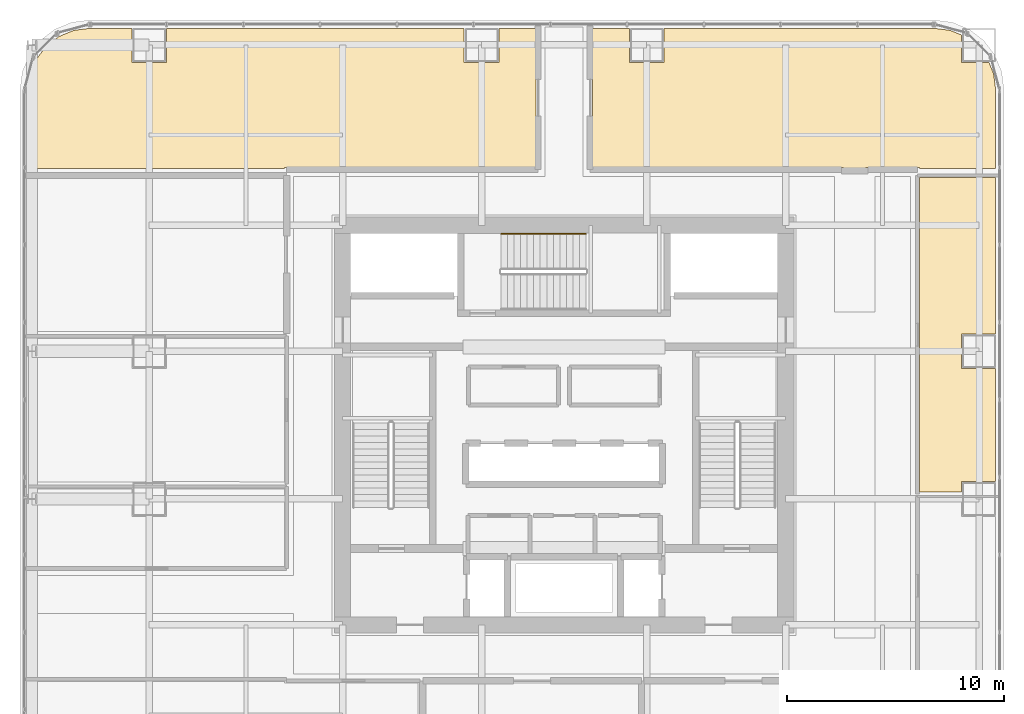
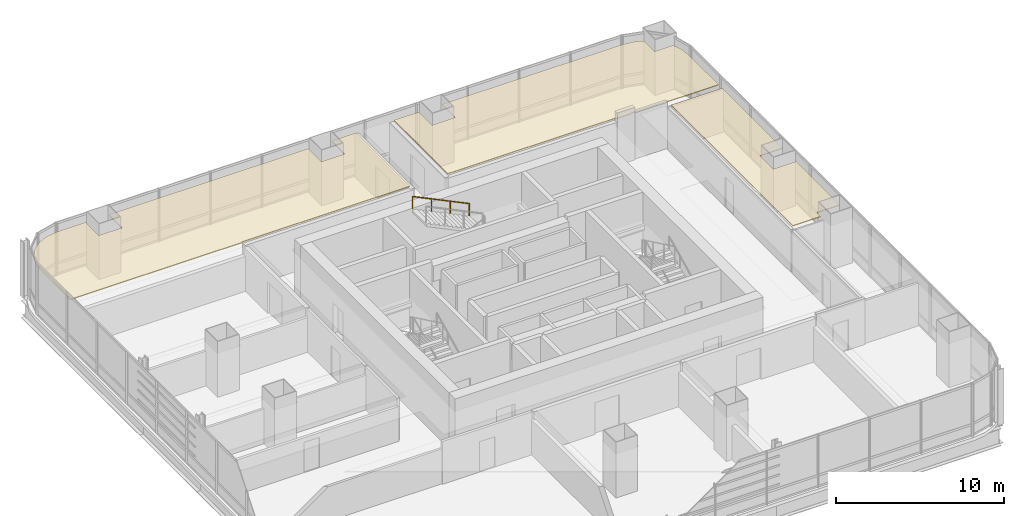
# One storey, part 36 of 36: 3 coverings, 1 railing.
"""IFC4 building model written with IfcOpenShell, lengths in metres."""

import ifcopenshell
import ifcopenshell.guid

model = None  # the IFC model being written
_history = None  # IfcOwnerHistory: only IFC2X3 demands one
_inside = {}  # id of a spatial element -> (the spatial element, [elements in it])
_under = {}  # id of a project, library or spatial element -> (it, [spatial elements below it])
_declared = {}  # id of a project -> (the project, [libraries it declares])
_typed = {}  # id of a type object -> (the type object, [elements of that type])
_made_of = {}  # id of a material, layer set ... -> (it, [elements and type objects made of it])


def new_model(schema):
    """Start an empty IFC model of exactly this schema.

    Asked for "IFC4X3", IfcOpenShell would pick the latest addendum, in which some entities
    have other attributes; the version numbers below select the first issue.
    IFC2X3 requires an IfcOwnerHistory on every rooted entity: one is made here for all.
    """
    global model, _history
    if schema == "IFC4X3":
        model = ifcopenshell.file(schema_version=(4, 3, 0, 0))
    else:
        model = ifcopenshell.file(schema=schema)
    _inside.clear()
    _under.clear()
    _declared.clear()
    _typed.clear()
    _made_of.clear()
    _history = None
    if model.schema == "IFC2X3":
        org = make("IfcOrganization", Name="unknown")
        user = make(
            "IfcPersonAndOrganization",
            ThePerson=make("IfcPerson", FamilyName="unknown"),
            TheOrganization=org,
        )
        app = make(
            "IfcApplication",
            ApplicationDeveloper=org,
            Version="unknown",
            ApplicationFullName="unknown",
            ApplicationIdentifier="unknown",
        )
        _history = make(
            "IfcOwnerHistory",
            OwningUser=user,
            OwningApplication=app,
            ChangeAction="ADDED",
            CreationDate=0,
        )
    return model


def make(cls, **values):
    """One entity of the class cls with the attributes given. An attribute that is None is left unset."""
    return model.create_entity(
        cls, **{name: value for name, value in values.items() if value is not None}
    )


def rooted(cls, **values):
    """An entity with a GlobalId (a new one), such as an element, a storey or a relation."""
    return make(cls, GlobalId=ifcopenshell.guid.new(), OwnerHistory=_history, **values)


def si_unit(unit_type, name, prefix=None):
    """IfcSIUnit, for example si_unit("LENGTHUNIT", "METRE", prefix="MILLI")."""
    return make("IfcSIUnit", UnitType=unit_type, Prefix=prefix, Name=name)


def assignment(units):
    """IfcUnitAssignment: the units of a project."""
    return None if units is None else make("IfcUnitAssignment", Units=units)


def point(xyz):
    """IfcCartesianPoint."""
    return None if xyz is None else make("IfcCartesianPoint", Coordinates=xyz)


def direction(xyz):
    """IfcDirection."""
    return None if xyz is None else make("IfcDirection", DirectionRatios=xyz)


def frame(location, z_axis=None, x_axis=None):
    """IfcAxis2Placement3D, a coordinate frame: its origin and axes. An axis left out is left unset."""
    return make(
        "IfcAxis2Placement3D",
        Location=point(location),
        Axis=direction(z_axis),
        RefDirection=direction(x_axis),
    )


def frame_2d(location, x_axis=None):
    """IfcAxis2Placement2D, a coordinate frame in the plane: its origin and x axis."""
    return make(
        "IfcAxis2Placement2D", Location=point(location), RefDirection=direction(x_axis)
    )


def origin():
    """The frame at (0, 0, 0) with its axes left unset."""
    return frame((0.0, 0.0, 0.0))


def origin_2d():
    """The frame at (0, 0) in the plane with its x axis left unset."""
    return frame_2d((0.0, 0.0))


def place(relative_to, where):
    """IfcLocalPlacement: puts the frame where relative to a parent placement (None: the world)."""
    return make(
        "IfcLocalPlacement", PlacementRelTo=relative_to, RelativePlacement=where
    )


def context(
    kind, dimensions, precision=None, world=None, true_north=None, identifier=None
):
    """IfcGeometricRepresentationContext, for example the 3D "Model" context."""
    return make(
        "IfcGeometricRepresentationContext",
        ContextIdentifier=identifier,
        ContextType=kind,
        CoordinateSpaceDimension=dimensions,
        Precision=precision,
        WorldCoordinateSystem=world,
        TrueNorth=true_north,
    )


def subcontext(parent, identifier, kind, view, scale=None):
    """IfcGeometricRepresentationSubContext, for example "Body" below "Model"."""
    return make(
        "IfcGeometricRepresentationSubContext",
        ContextIdentifier=identifier,
        ContextType=kind,
        ParentContext=parent,
        TargetScale=scale,
        TargetView=view,
    )


def project(units=None, contexts=None):
    """IfcProject with its units and contexts."""
    return rooted(
        "IfcProject",
        Name="project",
        RepresentationContexts=contexts,
        UnitsInContext=assignment(units),
    )


def spatial(cls, under=None, at=None, **own):
    """A site, building, storey or space (cls), placed at a placement, below another one or the project."""
    s = rooted(cls, ObjectPlacement=at, **own)
    if under is not None:
        _under.setdefault(under.id(), (under, []))[1].append(s)
    return s


def polyline(points):
    """IfcPolyline through the points."""
    return make("IfcPolyline", Points=[point(p) for p in points])


def profile(cls, at=None, kind="AREA", **sizes):
    """A parametric profile (cls). Its sizes go by their IFC names, for example OverallWidth=200.0."""
    return make(cls, ProfileType=kind, Position=at, **sizes)


def circle(**sizes):
    """IfcCircleProfileDef."""
    return profile("IfcCircleProfileDef", **sizes)


def outline(outer, holes=None, kind="AREA"):
    """IfcArbitraryClosedProfileDef: a profile drawn as a closed curve; with holes, ...WithVoids."""
    if holes is None:
        return make("IfcArbitraryClosedProfileDef", ProfileType=kind, OuterCurve=outer)
    return make(
        "IfcArbitraryProfileDefWithVoids",
        ProfileType=kind,
        OuterCurve=outer,
        InnerCurves=holes,
    )


def extrude(swept, where, along, depth):
    """IfcExtrudedAreaSolid: the profile swept, set in the frame where, extruded along a direction by depth."""
    return make(
        "IfcExtrudedAreaSolid",
        SweptArea=swept,
        Position=where,
        ExtrudedDirection=direction(along),
        Depth=depth,
    )


def shape(context_of_items, identifier, shape_type, items):
    """IfcShapeRepresentation: the items that make up one representation, for example the "Body"."""
    return make(
        "IfcShapeRepresentation",
        ContextOfItems=context_of_items,
        RepresentationIdentifier=identifier,
        RepresentationType=shape_type,
        Items=items,
    )


def material(Name=None, Category=None):
    """IfcMaterial."""
    return make("IfcMaterial", Name=Name, Category=Category)


def layer(
    of_material, thickness, ventilated=None, Name=None, Category=None, Priority=None
):
    """IfcMaterialLayer: one layer of a wall or slab, of a material (None: an air gap)."""
    return make(
        "IfcMaterialLayer",
        Material=of_material,
        LayerThickness=thickness,
        IsVentilated=ventilated,
        Name=Name,
        Category=Category,
        Priority=Priority,
    )


def layer_set(layers, Name=None):
    """IfcMaterialLayerSet."""
    return make("IfcMaterialLayerSet", MaterialLayers=layers, LayerSetName=Name)


def made_of(thing, what):
    """Note that an element or type object is made of a material, layer set ...; save() writes the relation."""
    if what is not None:
        _made_of.setdefault(what.id(), (what, []))[1].append(thing)
    return thing


def type_object(cls, material=None, **own):
    """A type object (cls), such as IfcWallType, which elements share."""
    return made_of(rooted(cls, **own), material)


def element(
    cls,
    number,
    at=None,
    inside=None,
    cuts=None,
    type_object=None,
    material=None,
    context=None,
    identifier="Body",
    shape_type=None,
    held_by="IfcProductDefinitionShape",
    body=None,
    shapes=None,
    **own,
):
    """One element of the class cls, such as IfcWall. Its Tag is "e" and its number.

    at: its placement. inside: the storey or other place that contains it. cuts: it is an
    opening in that element (IfcRelVoidsElement). A single representation is given by context,
    identifier, shape_type and body (its items); several are given by shapes. held_by: the class
    of the entity that holds the representations. save() writes the other relations.
    """
    e = rooted(cls, Tag="e%d" % number, ObjectPlacement=at, **own)
    if body is not None:
        shapes = [shape(context, identifier, shape_type, body)]
    if shapes is not None:
        e.Representation = make(held_by, Representations=shapes)
    if inside is not None:
        _inside.setdefault(inside.id(), (inside, []))[1].append(e)
    if cuts is not None:
        rooted(
            "IfcRelVoidsElement", RelatingBuildingElement=cuts, RelatedOpeningElement=e
        )
    if type_object is not None:
        _typed.setdefault(type_object.id(), (type_object, []))[1].append(e)
    return made_of(e, material)


def aggregate(whole, parts):
    """IfcRelAggregates: a whole, such as a stair, and the parts it consists of."""
    return rooted("IfcRelAggregates", RelatingObject=whole, RelatedObjects=parts)


def save(model, path):
    """Write the relations noted so far, then the file.

    IfcRelAggregates (storeys below a building ...), IfcRelContainedInSpatialStructure (elements
    in a storey), IfcRelDefinesByType, IfcRelAssociatesMaterial and IfcRelDeclares: one each for
    every whole, place, type object, material and project.
    """
    for whole, parts in _under.values():
        aggregate(whole, parts)
    for where, things in _inside.values():
        rooted(
            "IfcRelContainedInSpatialStructure",
            RelatedElements=things,
            RelatingStructure=where,
        )
    for kind, things in _typed.values():
        rooted("IfcRelDefinesByType", RelatedObjects=things, RelatingType=kind)
    for what, things in _made_of.values():
        rooted("IfcRelAssociatesMaterial", RelatedObjects=things, RelatingMaterial=what)
    for by, libraries in _declared.values():
        rooted("IfcRelDeclares", RelatingContext=by, RelatedDefinitions=libraries)
    model.write(path)


model = new_model("IFC4")

# Units and contexts
model_context = context("Model", 3, precision=1e-05, world=origin(), true_north=direction((0.0, 1.0)))
body_context = subcontext(model_context, "Body", "Model", "MODEL_VIEW")
ifc_project = project(units=[si_unit("LENGTHUNIT", "METRE"), si_unit("AREAUNIT", "SQUARE_METRE"), si_unit("VOLUMEUNIT", "CUBIC_METRE"), si_unit("PLANEANGLEUNIT", "RADIAN"), si_unit("MASSUNIT", "GRAM", prefix="KILO")], contexts=[model_context])

# Site, building, storey
site_placement = place(None, origin())
site = spatial("IfcSite", under=ifc_project, at=site_placement, CompositionType="ELEMENT")
building_placement = place(site_placement, origin())
building = spatial("IfcBuilding", under=site, at=building_placement, Name="Punatoya Terracotta Tower", CompositionType="ELEMENT")
storey_placement = place(building_placement, frame((0.0, 0.0, 48.449951171875)))
storey = spatial("IfcBuildingStorey", under=building, at=storey_placement, Name="L10", CompositionType="ELEMENT", Elevation=48.449951171875)

# Coverings
ifc_material_1 = material(Name="Acoustic Mineral Fibre Ceiling")
ifc_layer = layer(ifc_material_1, 0.06005859375)
ifc_layer_set = layer_set([ifc_layer], Name="Acoustic Mineral Fibre Ceiling")
covering_type = type_object("IfcCoveringType", Name="COV-CEIL-60", PredefinedType="CEILING", material=ifc_layer_set)
covering_1_placement = place(storey_placement, frame((0.0, 0.0, 3.199951171875)))
element("IfcCovering", 1, at=covering_1_placement, inside=storey, type_object=covering_type, Name="L10 Open-Plan Waterfront Club Lounge Acoustic Ceiling", PredefinedType="CEILING", context=body_context, shape_type="SweptSolid", body=[
    extrude(outline(polyline([(19.8701171875, -2.60009765625), (19.8701171875, 2.60009765625), (18.300048828125, 2.60009765625), (18.300048828125, 4.199951171875), (19.8701171875, 4.199951171875), (19.8701171875, 11.389892578125), (16.3701171875, 11.389892578125), (16.3701171875, -3.073974609375), (18.300048828125, -3.073974609375), (18.300048828125, -2.60009765625), (19.8701171875, -2.60009765625)])), origin(), (0.0, 0.0, 1.0), 0.06005859375),
])
covering_2_placement = place(storey_placement, frame((0.0, 0.0, 3.199951171875)))
element("IfcCovering", 2, at=covering_2_placement, inside=storey, type_object=covering_type, Name="L10 Hospitality Hosting Lounge Acoustic Ceiling", PredefinedType="CEILING", context=body_context, shape_type="SweptSolid", body=[
    extrude(outline(polyline([(-18.300048828125, 18.27001953125), (-18.300048828125, 16.699951171875), (-19.89990234375, 16.699951171875), (-19.89990234375, 18.27001953125), (-21.8251953125, 18.27001953125), (-22.5791015625, 18.1708984375), (-23.25830078125, 17.889404296875), (-23.841796875, 17.441650390625), (-24.289306640625, 16.8583984375), (-24.57080078125, 16.178955078125), (-24.669921875, 15.425048828125), (-24.669921875, 11.81005859375), (-12.8701171875, 11.81005859375), (-12.8701171875, 11.8701171875), (-1.300048828125, 11.8701171875), (-1.300048828125, 18.27001953125), (-3.0, 18.27001953125), (-3.0, 16.699951171875), (-4.60009765625, 16.699951171875), (-4.60009765625, 18.27001953125), (-18.300048828125, 18.27001953125)])), origin(), (0.0, 0.0, 1.0), 0.06005859375),
])
covering_3_placement = place(storey_placement, frame((0.0, 0.0, 3.199951171875)))
element("IfcCovering", 3, at=covering_3_placement, inside=storey, type_object=covering_type, Name="L10 Open-Plan Client Dining Salon Acoustic Ceiling", PredefinedType="CEILING", context=body_context, shape_type="SweptSolid", body=[
    extrude(outline(polyline([(4.60009765625, 16.699951171875), (3.0, 16.699951171875), (3.0, 18.27001953125), (1.300048828125, 18.27001953125), (1.300048828125, 11.8701171875), (12.8701171875, 11.8701171875), (12.8701171875, 11.81005859375), (13.8798828125, 11.81005859375), (13.8798828125, 11.8701171875), (16.3701171875, 11.8701171875), (16.3701171875, 11.81005859375), (19.8701171875, 11.81005859375), (19.8701171875, 15.425048828125), (19.770751953125, 16.178955078125), (19.554931640625, 16.699951171875), (18.300048828125, 16.699951171875), (18.300048828125, 17.955078125), (17.779052734375, 18.1708984375), (17.025146484375, 18.27001953125), (4.60009765625, 18.27001953125), (4.60009765625, 16.699951171875)])), origin(), (0.0, 0.0, 1.0), 0.06005859375),
])

# Railing
ifc_material_2 = material(Name="Steel S355", Category="steel")
railing_type = type_object("IfcRailingType", Name="RLG-HND-900", PredefinedType="HANDRAIL", material=ifc_material_2)
railing_placement = place(storey_placement, frame((1.0, 8.800048828125, 2.169677734375)))
element("IfcRailing", 4, at=railing_placement, inside=storey, type_object=railing_type, Name="L10 ST-3 stair handrail 2", PredefinedType="HANDRAIL", context=body_context, shape_type="SweptSolid", body=[
    extrude(circle(Radius=0.02392578125, at=origin_2d()), frame((0.0, 0.0, 0.8759765625), z_axis=(-0.900763166376, 0.0, 0.434310623978), x_axis=(0.0, -1.0, 0.0)), (0.0, 0.0, 1.0), 4.32958984375),
    extrude(circle(Radius=0.02099609375, at=origin_2d()), origin(), (0.0, 0.0, 1.0), 0.851806640625),
    extrude(circle(Radius=0.02099609375, at=origin_2d()), frame((-1.300048828125, 0.0, 0.626708984375)), (0.0, 0.0, 1.0), 0.851806640625),
    extrude(circle(Radius=0.02099609375, at=origin_2d()), frame((-2.599853515625, 0.0, 1.253662109375)), (0.0, 0.0, 1.0), 0.851806640625),
    extrude(circle(Radius=0.02099609375, at=origin_2d()), frame((-3.89990234375, 0.0, 1.88037109375)), (0.0, 0.0, 1.0), 0.851806640625),
])

save(model, "model.ifc")
